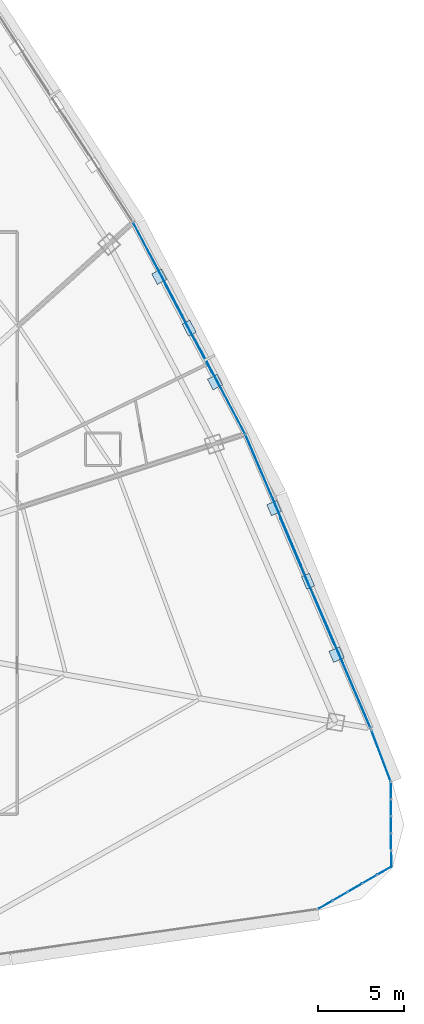
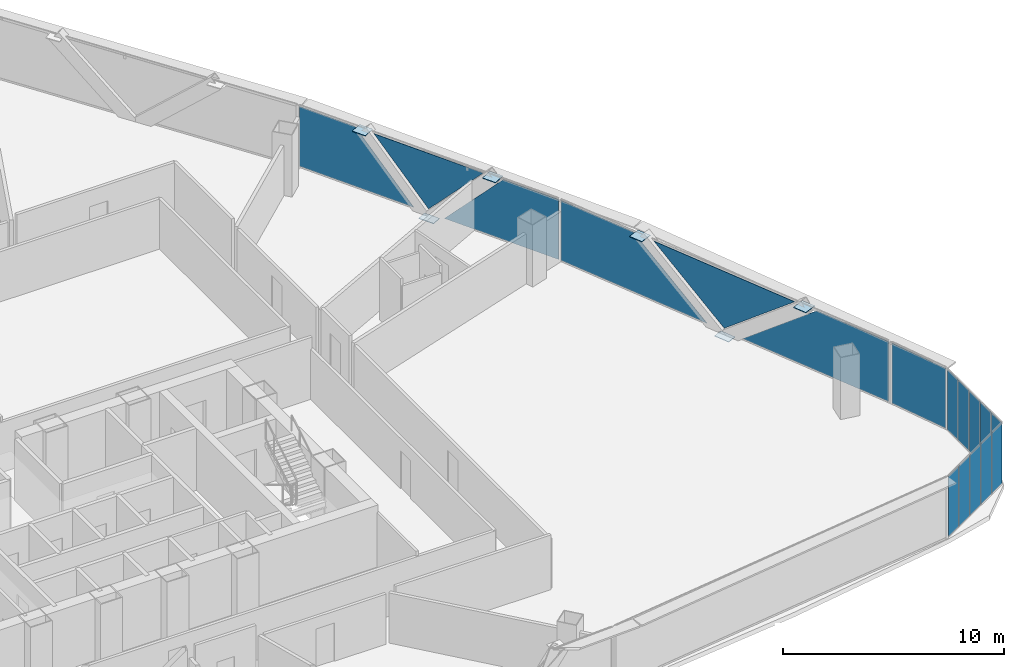
# One storey, part 33 of 42: 23 plates, 5 elements without a shape of their own.
"""IFC4 building model written with IfcOpenShell, lengths in metres."""

from ifc_helpers import new_model, si_unit, direction, frame, origin, origin_2d, place, context, subcontext, project, spatial, polyline, rectangle, outline, extrude, source, transform, mapped, material, layer, layer_set, type_object, element, aggregate, save


model = new_model("IFC4")

# Units and contexts
model_context = context("Model", 3, precision=1e-05, world=origin(), true_north=direction((0.0, 1.0)))
body_context = subcontext(model_context, "Body", "Model", "MODEL_VIEW")
ifc_project = project(units=[si_unit("LENGTHUNIT", "METRE"), si_unit("AREAUNIT", "SQUARE_METRE"), si_unit("VOLUMEUNIT", "CUBIC_METRE"), si_unit("PLANEANGLEUNIT", "RADIAN"), si_unit("MASSUNIT", "GRAM", prefix="KILO"), si_unit("THERMODYNAMICTEMPERATUREUNIT", "KELVIN"), si_unit("POWERUNIT", "WATT")], contexts=[model_context])

# Site, building, storey
site_placement = place(None, origin())
site = spatial("IfcSite", under=ifc_project, at=site_placement, CompositionType="ELEMENT")
building_placement = place(site_placement, origin())
building = spatial("IfcBuilding", under=site, at=building_placement, Name="Yunzhuo Pagoda Commons", CompositionType="ELEMENT")
storey_placement = place(building_placement, frame((0.0, 0.0, 137.18994140625)))
storey = spatial("IfcBuildingStorey", under=building, at=storey_placement, Name="L34", CompositionType="ELEMENT", Elevation=137.18994140625)

# Curtain wall, plates
ifc_material_1 = material(Name="Anodized aluminium 6063-T6", Category="aluminium")
ifc_layer_1 = layer(ifc_material_1, 0.14990234375)
ifc_layer_set_1 = layer_set([ifc_layer_1], Name="Anodized aluminium 6063-T6")
curtain_wall_type_1 = type_object("IfcCurtainWallType", Name="CW-MID Mid-Zone Ribbon Curtain Wall", PredefinedType="NOTDEFINED", material=ifc_layer_set_1)
curtain_wall_1_placement = place(storey_placement, origin())
curtain_wall_1 = element("IfcCurtainWall", 1, at=curtain_wall_1_placement, inside=storey, type_object=curtain_wall_type_1, Name="L34 curtain wall CW-L34-F2B2", PredefinedType="NOTDEFINED")
ifc_material_2 = material(Name="Tempered low-e double glazing", Category="glass")
ifc_layer_2 = layer(ifc_material_2, 0.028076171875)
ifc_layer_set_2 = layer_set([ifc_layer_2], Name="Tempered low-e double glazing")
plate_type_1 = type_object("IfcPlateType", Name="CW-MID-P Low-E Double Glazing 28", PredefinedType="CURTAIN_PANEL", material=ifc_layer_set_2)
plate_1_placement = place(storey_placement, frame((85.39013671875, 30.668212890625, 1.7099609375), z_axis=(0.919928137274, 0.392087008522, 0.0), x_axis=(-0.392087008522, 0.919928137274, 0.0)))
plate_1 = element("IfcPlate", 2, at=plate_1_placement, type_object=plate_type_1, Name="CW panel 1.1 lite 1", PredefinedType="CURTAIN_PANEL", context=body_context, shape_type="SweptSolid", body=[
    extrude(outline(polyline([(-4.135009765625, -1.655029296875), (4.135009765625, -1.655029296875), (-0.0673828125, 1.655029296875), (-4.135009765625, 1.655029296875), (-4.135009765625, -1.655029296875)])), origin(), (0.0, 0.0, 1.0), 0.028076171875),
])
plate_2_placement = place(storey_placement, frame((83.34375, 35.393310546875, 1.79443359375), z_axis=(0.919928137274, 0.392087008522, 0.0), x_axis=(-0.392087008522, 0.919928137274, 0.0)))
plate_2 = element("IfcPlate", 3, at=plate_2_placement, type_object=plate_type_1, Name="CW panel 1.1 lite 2", PredefinedType="CURTAIN_PANEL", context=body_context, shape_type="SweptSolid", body=[
    extrude(outline(polyline([(-3.988037109375, 1.57080078125), (0.0, -1.57080078125), (3.988037109375, 1.57080078125), (-3.988037109375, 1.57080078125)])), origin(), (0.0, 0.0, 1.0), 0.028076171875),
])
plate_3_placement = place(storey_placement, frame((81.352294921875, 40.141845703125, 1.7099609375), z_axis=(0.919928137274, 0.392087008522, 0.0), x_axis=(-0.392087008522, 0.919928137274, 0.0)))
plate_3 = element("IfcPlate", 4, at=plate_3_placement, type_object=plate_type_1, Name="CW panel 1.1 lite 3", PredefinedType="CURTAIN_PANEL", context=body_context, shape_type="SweptSolid", body=[
    extrude(outline(polyline([(-4.135009765625, -1.655029296875), (4.135009765625, -1.655029296875), (4.135009765625, 1.655029296875), (0.0673828125, 1.655029296875), (-4.135009765625, -1.655029296875)])), origin(), (0.0, 0.0, 1.0), 0.028076171875),
])
aggregate(curtain_wall_1, [plate_1, plate_2, plate_3])

curtain_wall_2_placement = place(storey_placement, origin())
curtain_wall_2 = element("IfcCurtainWall", 5, at=curtain_wall_2_placement, inside=storey, type_object=curtain_wall_type_1, Name="L34 curtain wall CW-L34-F2B3", PredefinedType="NOTDEFINED")
plate_4_placement = place(storey_placement, frame((78.25, 46.752685546875, 1.7099609375), z_axis=(0.883694161172, 0.468064770635, 0.0), x_axis=(-0.468064770635, 0.883694161172, 0.0)))
plate_4 = element("IfcPlate", 6, at=plate_4_placement, type_object=plate_type_1, Name="CW panel 1.1 lite 1", PredefinedType="CURTAIN_PANEL", context=body_context, shape_type="SweptSolid", body=[
    extrude(outline(polyline([(-3.054931640625, -1.655029296875), (3.054931640625, -1.655029296875), (-0.090087890625, 1.655029296875), (-3.054931640625, 1.655029296875), (-3.054931640625, -1.655029296875)])), origin(), (0.0, 0.0, 1.0), 0.028076171875),
])
plate_5_placement = place(storey_placement, frame((76.408203125, 50.166015625, 1.828369140625), z_axis=(0.883694161172, 0.468064770635, 0.0), x_axis=(-0.468064770635, 0.883694161172, 0.0)))
plate_5 = element("IfcPlate", 7, at=plate_5_placement, type_object=plate_type_1, Name="CW panel 1.1 lite 2", PredefinedType="CURTAIN_PANEL", context=body_context, shape_type="SweptSolid", body=[
    extrude(outline(polyline([(-2.920166015625, 1.53662109375), (0.0, -1.53662109375), (2.920166015625, 1.53662109375), (-2.920166015625, 1.53662109375)])), origin(), (0.0, 0.0, 1.0), 0.028076171875),
])
plate_6_placement = place(storey_placement, frame((74.619384765625, 53.607421875, 1.7099609375), z_axis=(0.883694161172, 0.468064770635, 0.0), x_axis=(-0.468064770635, 0.883694161172, 0.0)))
plate_6 = element("IfcPlate", 8, at=plate_6_placement, type_object=plate_type_1, Name="CW panel 1.1 lite 3", PredefinedType="CURTAIN_PANEL", context=body_context, shape_type="SweptSolid", body=[
    extrude(outline(polyline([(-3.054931640625, -1.655029296875), (3.054931640625, -1.655029296875), (3.054931640625, 1.655029296875), (0.090087890625, 1.655029296875), (-3.054931640625, -1.655029296875)])), origin(), (0.0, 0.0, 1.0), 0.028076171875),
])
aggregate(curtain_wall_2, [plate_4, plate_5, plate_6])

# Plates
ifc_material_3 = material(Name="Structural steel Q355B", Category="steel")
ifc_layer_3 = layer(ifc_material_3, 0.028076171875)
ifc_layer_set_3 = layer_set([ifc_layer_3], Name="Structural steel Q355B")
plate_type_2 = type_object("IfcPlateType", Name="SP-ND1 Lattice Node Cap Plate 800x500x28", PredefinedType="USERDEFINED", material=ifc_layer_set_3)
shared_shape_1 = source(origin(), body_context, "Body", "SweptSolid", [
    extrude(rectangle(XDim=0.800048828125, YDim=0.5, at=origin_2d()), origin(), (0.0, 0.0, 1.0), 0.028076171875),
])
for number, where, z_axis, x_axis, name in (
    (9, (83.38427734375, 35.41064453125, -0.27392578125), (0.0, 0.0, 1.0), (-0.392080238691, 0.919931022647, 0.0), "L34 diamond node plate F2.1A"),
    (10, (76.447021484375, 50.1865234375, -0.27392578125), (0.0, 0.0, 1.0), (-0.468068630068, 0.883692116943, 0.0), "L34 diamond node plate F2.2A"),
):
    element("IfcPlate", number, at=place(storey_placement, frame(where, z_axis=z_axis, x_axis=x_axis)), inside=storey, type_object=plate_type_2, Name=name, ObjectType="STIFFENER_PLATE", PredefinedType="USERDEFINED", context=body_context, shape_type="MappedRepresentation", body=[
        mapped(shared_shape_1, transform((0.0, 0.0, 0.0), scale=1.0)),
    ])
shared_shape_2 = source(origin(), body_context, "Body", "SweptSolid", [
    extrude(rectangle(XDim=0.699951171875, YDim=0.672119140625, at=origin_2d()), origin(), (0.0, 0.0, 1.0), 0.035888671875),
])
plate_7_placement = place(storey_placement, frame((85.055419921875, 31.124267578125, 3.38232421875), z_axis=(0.0, 0.0, 1.0), x_axis=(-0.392080238691, 0.919931022647, 0.0)))
element("IfcPlate", 11, at=plate_7_placement, inside=storey, type_object=plate_type_2, Name="L34 setback lattice tie plate F2.1L", ObjectType="STIFFENER_PLATE", PredefinedType="USERDEFINED", context=body_context, shape_type="MappedRepresentation", body=[
    mapped(shared_shape_2, transform((0.0, 0.0, 0.0), scale=1.0)),
])
shared_shape_3 = source(origin(), body_context, "Body", "SweptSolid", [
    extrude(rectangle(XDim=0.699951171875, YDim=0.627685546875, at=origin_2d()), origin(), (0.0, 0.0, 1.0), 0.035888671875),
])
plate_8_placement = place(storey_placement, frame((77.956787109375, 47.040283203125, 3.38232421875), z_axis=(0.0, 0.0, 1.0), x_axis=(-0.468068630068, 0.883692116943, 0.0)))
element("IfcPlate", 12, at=plate_8_placement, inside=storey, type_object=plate_type_2, Name="L34 setback lattice tie plate F2.2L", ObjectType="STIFFENER_PLATE", PredefinedType="USERDEFINED", context=body_context, shape_type="MappedRepresentation", body=[
    mapped(shared_shape_3, transform((0.0, 0.0, 0.0), scale=1.0)),
])
shared_shape_4 = source(origin(), body_context, "Body", "SweptSolid", [
    extrude(rectangle(XDim=0.699951171875, YDim=0.627197265625, at=origin_2d()), origin(), (0.0, 0.0, 1.0), 0.035888671875),
])
plate_9_placement = place(storey_placement, frame((74.698486328125, 53.195068359375, 3.38232421875), z_axis=(0.0, 0.0, 1.0), x_axis=(-0.468068630068, 0.883692116943, 0.0)))
element("IfcPlate", 13, at=plate_9_placement, inside=storey, type_object=plate_type_2, Name="L34 setback lattice tie plate F2.2R", ObjectType="STIFFENER_PLATE", PredefinedType="USERDEFINED", context=body_context, shape_type="MappedRepresentation", body=[
    mapped(shared_shape_4, transform((0.0, 0.0, 0.0), scale=1.0)),
])
shared_shape_5 = source(origin(), body_context, "Body", "SweptSolid", [
    extrude(rectangle(XDim=0.699951171875, YDim=0.640869140625, at=origin_2d()), origin(), (0.0, 0.0, 1.0), 0.035888671875),
])
plate_10_placement = place(storey_placement, frame((81.4091796875, 39.683349609375, 3.38232421875), z_axis=(0.0, 0.0, 1.0), x_axis=(-0.392080238691, 0.919931022647, 0.0)))
element("IfcPlate", 14, at=plate_10_placement, inside=storey, type_object=plate_type_2, Name="L34 setback lattice tie plate F2.1R", ObjectType="STIFFENER_PLATE", PredefinedType="USERDEFINED", context=body_context, shape_type="MappedRepresentation", body=[
    mapped(shared_shape_5, transform((0.0, 0.0, 0.0), scale=1.0)),
])

# Curtain wall, plate
curtain_wall_3_placement = place(storey_placement, origin())
curtain_wall_3 = element("IfcCurtainWall", 15, at=curtain_wall_3_placement, inside=storey, type_object=curtain_wall_type_1, Name="L34 curtain wall CW-L34-F2B1", PredefinedType="NOTDEFINED")
shared_shape_6 = source(origin(), body_context, "Body", "SweptSolid", [
    extrude(rectangle(XDim=3.15576171875, YDim=0.028076171875, at=origin_2d()), origin(), (0.0, 0.0, 1.0), 3.31005859375),
])
plate_11_placement = place(storey_placement, frame((87.65380859375, 25.212646484375, 0.054931640625), z_axis=(0.0, 0.0, 1.0), x_axis=(-0.353798274003, 0.935321752827, 0.0)))
plate_11 = element("IfcPlate", 16, at=plate_11_placement, type_object=plate_type_1, Name="CW panel 1.1", PredefinedType="CURTAIN_PANEL", context=body_context, shape_type="MappedRepresentation", body=[
    mapped(shared_shape_6, transform((0.0, 0.0, 0.0), scale=1.0)),
])
aggregate(curtain_wall_3, [plate_11])

# Curtain wall, plates
ifc_layer_4 = layer(ifc_material_1, 0.1298828125)
ifc_layer_set_4 = layer_set([ifc_layer_4], Name="Anodized aluminium 6063-T6")
curtain_wall_type_2 = type_object("IfcCurtainWallType", Name="CW-VTX Rounded Corner Curtain Wall", PredefinedType="NOTDEFINED", material=ifc_layer_set_4)
curtain_wall_4_placement = place(storey_placement, origin())
curtain_wall_4 = element("IfcCurtainWall", 17, at=curtain_wall_4_placement, inside=storey, type_object=curtain_wall_type_2, Name="L34 curtain wall CW-L34-VTX2S1", PredefinedType="NOTDEFINED")
ifc_layer_5 = layer(ifc_material_2, 0.02587890625)
ifc_layer_set_5 = layer_set([ifc_layer_5], Name="Tempered low-e double glazing")
plate_type_3 = type_object("IfcPlateType", Name="CW-VTX-P Low-E Double Glazing 26", PredefinedType="CURTAIN_PANEL", material=ifc_layer_set_5)
shared_shape_7 = source(origin(), body_context, "Body", "SweptSolid", [
    extrude(rectangle(XDim=0.915771484375, YDim=0.028076171875, at=origin_2d()), origin(), (0.0, 0.0, 1.0), 3.31005859375),
])
plate_12_placement = place(storey_placement, frame((84.415771484375, 16.515869140625, 0.054931640625), z_axis=(0.0, 0.0, 1.0), x_axis=(0.865425370946, 0.501037850191, 0.0)))
plate_12 = element("IfcPlate", 18, at=plate_12_placement, type_object=plate_type_3, Name="CW panel 1.1", PredefinedType="CURTAIN_PANEL", context=body_context, shape_type="MappedRepresentation", body=[
    mapped(shared_shape_7, transform((0.0, 0.0, 0.0), scale=1.0)),
])
plate_13_placement = place(storey_placement, frame((87.847412109375, 18.50244140625, 0.054931640625), z_axis=(0.0, 0.0, 1.0), x_axis=(0.865425370946, 0.501037850191, 0.0)))
plate_13 = element("IfcPlate", 19, at=plate_13_placement, type_object=plate_type_3, Name="CW panel 5.1", PredefinedType="CURTAIN_PANEL", context=body_context, shape_type="MappedRepresentation", body=[
    mapped(shared_shape_7, transform((0.0, 0.0, 0.0), scale=1.0)),
])

curtain_wall_5_placement = place(storey_placement, origin())
curtain_wall_5 = element("IfcCurtainWall", 20, at=curtain_wall_5_placement, inside=storey, type_object=curtain_wall_type_2, Name="L34 curtain wall CW-L34-VTX2S2", PredefinedType="NOTDEFINED")
plate_14_placement = place(storey_placement, frame((88.24951171875, 19.20263671875, 0.054931640625), z_axis=(0.0, 0.0, 1.0), x_axis=(-0.003586576275, 0.999993568215, 0.0)))
plate_14 = element("IfcPlate", 21, at=plate_14_placement, type_object=plate_type_3, Name="CW panel 1.1", PredefinedType="CURTAIN_PANEL", context=body_context, shape_type="MappedRepresentation", body=[
    mapped(shared_shape_7, transform((0.0, 0.0, 0.0), scale=1.0)),
])
plate_15_placement = place(storey_placement, frame((88.2353515625, 23.16796875, 0.054931640625), z_axis=(0.0, 0.0, 1.0), x_axis=(-0.003586576275, 0.999993568215, 0.0)))
plate_15 = element("IfcPlate", 22, at=plate_15_placement, type_object=plate_type_3, Name="CW panel 5.1", PredefinedType="CURTAIN_PANEL", context=body_context, shape_type="MappedRepresentation", body=[
    mapped(shared_shape_7, transform((0.0, 0.0, 0.0), scale=1.0)),
])

# Plate
shared_shape_8 = source(origin(), body_context, "Body", "SweptSolid", [
    extrude(rectangle(XDim=0.943115234375, YDim=0.028076171875, at=origin_2d()), origin(), (0.0, 0.0, 1.0), 3.31005859375),
])
plate_16_placement = place(storey_placement, frame((85.267822265625, 17.009033203125, 0.054931640625), z_axis=(0.0, 0.0, 1.0), x_axis=(0.865425370946, 0.501037850191, 0.0)))
plate_16 = element("IfcPlate", 23, at=plate_16_placement, type_object=plate_type_3, Name="CW panel 2.1", PredefinedType="CURTAIN_PANEL", context=body_context, shape_type="MappedRepresentation", body=[
    mapped(shared_shape_8, transform((0.0, 0.0, 0.0), scale=1.0)),
])

plate_17_placement = place(storey_placement, frame((86.131591796875, 17.509033203125, 0.054931640625), z_axis=(0.0, 0.0, 1.0), x_axis=(0.865425370946, 0.501037850191, 0.0)))
plate_17 = element("IfcPlate", 24, at=plate_17_placement, type_object=plate_type_3, Name="CW panel 3.1", PredefinedType="CURTAIN_PANEL", context=body_context, shape_type="MappedRepresentation", body=[
    mapped(shared_shape_8, transform((0.0, 0.0, 0.0), scale=1.0)),
])

plate_18_placement = place(storey_placement, frame((86.995361328125, 18.00927734375, 0.054931640625), z_axis=(0.0, 0.0, 1.0), x_axis=(0.865425370946, 0.501037850191, 0.0)))
plate_18 = element("IfcPlate", 25, at=plate_18_placement, type_object=plate_type_3, Name="CW panel 4.1", PredefinedType="CURTAIN_PANEL", context=body_context, shape_type="MappedRepresentation", body=[
    mapped(shared_shape_8, transform((0.0, 0.0, 0.0), scale=1.0)),
])

aggregate(curtain_wall_4, [plate_12, plate_16, plate_17, plate_18, plate_13])

plate_19_placement = place(storey_placement, frame((88.245849609375, 20.187255859375, 0.054931640625), z_axis=(0.0, 0.0, 1.0), x_axis=(-0.003586576275, 0.999993568215, 0.0)))
plate_19 = element("IfcPlate", 26, at=plate_19_placement, type_object=plate_type_3, Name="CW panel 2.1", PredefinedType="CURTAIN_PANEL", context=body_context, shape_type="MappedRepresentation", body=[
    mapped(shared_shape_8, transform((0.0, 0.0, 0.0), scale=1.0)),
])

plate_20_placement = place(storey_placement, frame((88.242431640625, 21.185302734375, 0.054931640625), z_axis=(0.0, 0.0, 1.0), x_axis=(-0.003586576275, 0.999993568215, 0.0)))
plate_20 = element("IfcPlate", 27, at=plate_20_placement, type_object=plate_type_3, Name="CW panel 3.1", PredefinedType="CURTAIN_PANEL", context=body_context, shape_type="MappedRepresentation", body=[
    mapped(shared_shape_8, transform((0.0, 0.0, 0.0), scale=1.0)),
])

plate_21_placement = place(storey_placement, frame((88.23876953125, 22.183349609375, 0.054931640625), z_axis=(0.0, 0.0, 1.0), x_axis=(-0.003586576275, 0.999993568215, 0.0)))
plate_21 = element("IfcPlate", 28, at=plate_21_placement, type_object=plate_type_3, Name="CW panel 4.1", PredefinedType="CURTAIN_PANEL", context=body_context, shape_type="MappedRepresentation", body=[
    mapped(shared_shape_8, transform((0.0, 0.0, 0.0), scale=1.0)),
])

aggregate(curtain_wall_5, [plate_14, plate_19, plate_20, plate_21, plate_15])

save(model, "model.ifc")
